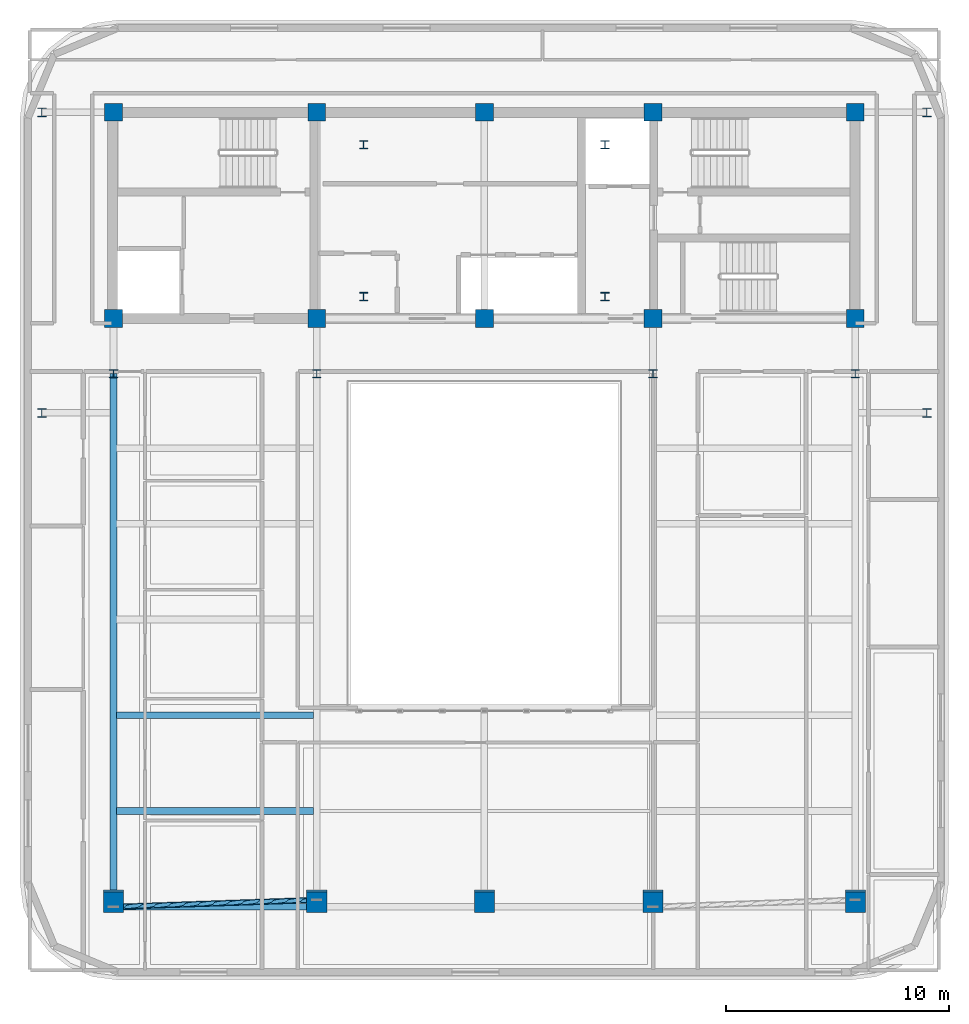
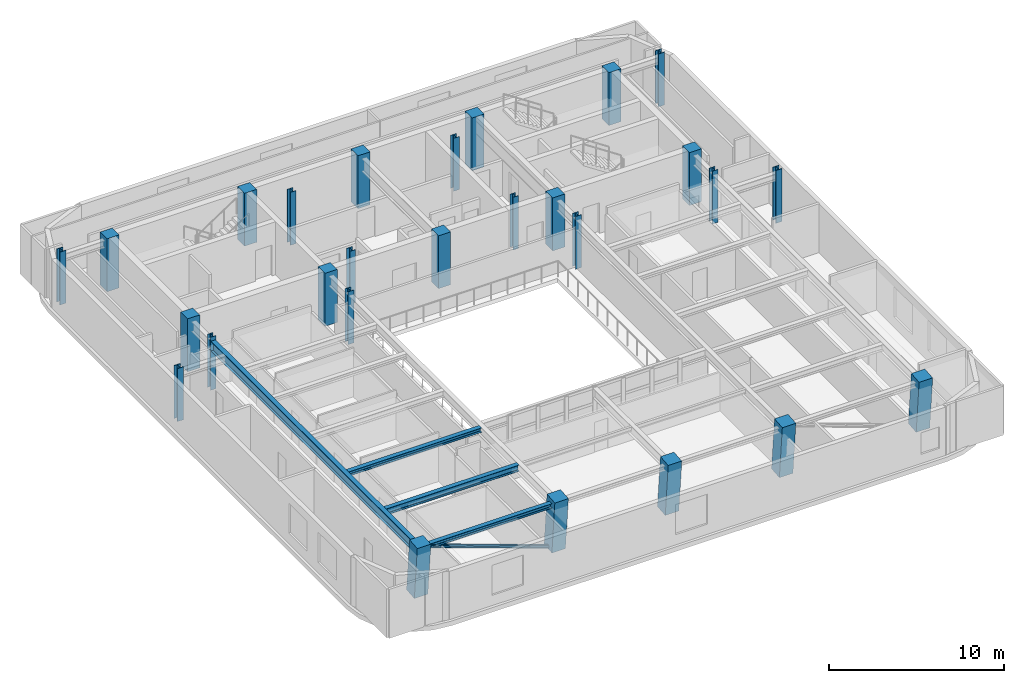
# One storey, part 1 of 12: 27 columns, 4 beams, 1 member.
"""IFC4 building model written with IfcOpenShell, lengths in metres."""

from ifc_helpers import new_model, si_unit, direction, frame, origin, origin_2d, place, context, subcontext, project, spatial, rectangle, hollow_circle, i_section, extrude, material, material_profile, profile_set, type_object, element, save


model = new_model("IFC4")

# Units and contexts
model_context = context("Model", 3, precision=1e-05, world=origin(), true_north=direction((0.0, 1.0)))
body_context = subcontext(model_context, "Body", "Model", "MODEL_VIEW")
ifc_project = project(units=[si_unit("LENGTHUNIT", "METRE"), si_unit("AREAUNIT", "SQUARE_METRE"), si_unit("VOLUMEUNIT", "CUBIC_METRE"), si_unit("PLANEANGLEUNIT", "RADIAN"), si_unit("MASSUNIT", "GRAM", prefix="KILO")], contexts=[model_context])

# Site, building, storey
site_placement = place(None, origin())
site = spatial("IfcSite", under=ifc_project, at=site_placement, CompositionType="ELEMENT")
building_placement = place(site_placement, origin())
building = spatial("IfcBuilding", under=site, at=building_placement, Name="Zarnavel Station Tower", CompositionType="ELEMENT")
storey_placement = place(building_placement, frame((0.0, 0.0, 269.5)))
storey = spatial("IfcBuildingStorey", under=building, at=storey_placement, Name="L73", CompositionType="ELEMENT", Elevation=269.5)

# Columns
ifc_material_1 = material(Name="Steel S355J2", Category="steel")
ifc_material_profile_1 = material_profile(ifc_material_1, i_section(OverallWidth=0.407958984375, OverallDepth=0.39990234375, WebThickness=0.02490234375, FlangeThickness=0.0390625, FilletRadius=0.014892578125, at=origin_2d()), Name="HD400x287")
ifc_profile_set_1 = profile_set([ifc_material_profile_1], Name="Steel S355J2")
column_type_1 = type_object("IfcColumnType", Name="EC_HD287", PredefinedType="COLUMN", material=ifc_profile_set_1)
for number, where, z_axis, x_axis, name in (
    (1, (9.0, 23.60009765625, 0.0), (0.0, 0.0, 1.0), (1.0, 0.0, 0.0), "L73 Inner Wing Spine Column 1-1"),
    (2, (9.0, 37.050048828125, 0.0), (0.0, 0.0, 1.0), (1.0, 0.0, 0.0), "L73 Inner Wing Spine Column 1-2"),
    (3, (48.60009765625, 23.60009765625, 0.0), (0.0, 0.0, 1.0), (1.0, 0.0, 0.0), "L73 Inner Wing Spine Column 2-1"),
    (4, (48.60009765625, 37.050048828125, 0.0), (0.0, 0.0, 1.0), (1.0, 0.0, 0.0), "L73 Inner Wing Spine Column 2-2"),
):
    element("IfcColumn", number, at=place(storey_placement, frame(where, z_axis=z_axis, x_axis=x_axis)), inside=storey, type_object=column_type_1, Name=name, PredefinedType="COLUMN", context=body_context, shape_type="SweptSolid", body=[
        extrude(i_section(OverallWidth=0.407958984375, OverallDepth=0.39990234375, WebThickness=0.02490234375, FlangeThickness=0.0390625, FilletRadius=0.014892578125, at=origin_2d()), origin(), (0.0, 0.0, 1.0), 3.699951171875),
    ])
ifc_material_2 = material(Name="Steel S355J2", Category="steel")
ifc_material_profile_2 = material_profile(ifc_material_2, i_section(OverallWidth=0.3740234375, OverallDepth=0.3720703125, WebThickness=0.0166015625, FlangeThickness=0.027099609375, FilletRadius=0.014892578125, at=origin_2d()), Name="HD360x196")
ifc_profile_set_2 = profile_set([ifc_material_profile_2], Name="Steel S355J2")
column_type_2 = type_object("IfcColumnType", Name="IC_HD196", PredefinedType="COLUMN", material=ifc_profile_set_2)
for number, where, z_axis, x_axis, name in (
    (5, (23.39990234375, 28.800048828125, 0.0), (0.0, 0.0, 1.0), (1.0, 0.0, 0.0), "L73 Mast Spine Column 1"),
    (6, (34.199951171875, 28.800048828125, 0.0), (0.0, 0.0, 1.0), (1.0, 0.0, 0.0), "L73 Mast Spine Column 2"),
    (7, (34.199951171875, 35.60009765625, 0.0), (0.0, 0.0, 1.0), (1.0, 0.0, 0.0), "L73 Mast Spine Column 3"),
    (8, (23.39990234375, 35.60009765625, 0.0), (0.0, 0.0, 1.0), (1.0, 0.0, 0.0), "L73 Mast Spine Column 4"),
    (9, (12.199951171875, 25.35009765625, 0.0), (0.0, 0.0, 1.0), (1.0, 0.0, 0.0), "L73 Inner Spine Column 1"),
    (10, (21.300048828125, 25.35009765625, 0.0), (0.0, 0.0, 1.0), (1.0, 0.0, 0.0), "L73 Inner Spine Column 2"),
    (11, (36.35009765625, 25.35009765625, 0.0), (0.0, 0.0, 1.0), (1.0, 0.0, 0.0), "L73 Inner Spine Column 4"),
    (12, (45.39990234375, 25.35009765625, 0.0), (0.0, 0.0, 1.0), (1.0, 0.0, 0.0), "L73 Inner Spine Column 5"),
):
    element("IfcColumn", number, at=place(storey_placement, frame(where, z_axis=z_axis, x_axis=x_axis)), inside=storey, type_object=column_type_2, Name=name, PredefinedType="COLUMN", context=body_context, shape_type="SweptSolid", body=[
        extrude(i_section(OverallWidth=0.3740234375, OverallDepth=0.3720703125, WebThickness=0.0166015625, FlangeThickness=0.027099609375, FilletRadius=0.014892578125, at=origin_2d()), origin(), (0.0, 0.0, 1.0), 3.699951171875),
    ])
ifc_material_3 = material(Name="Concrete C45/55", Category="concrete")
ifc_material_profile_3 = material_profile(ifc_material_3, rectangle(XDim=0.800048828125, YDim=0.800048828125, at=origin_2d()), Name="RC800x800")
ifc_profile_set_3 = profile_set([ifc_material_profile_3], Name="Concrete C45/55")
column_type_3 = type_object("IfcColumnType", Name="IC_RC800", PredefinedType="COLUMN", material=ifc_profile_set_3)
for number, where, z_axis, x_axis, name in (
    (13, (12.199951171875, 27.820068359375, 0.0), (0.0, 0.0, 1.0), (1.0, 0.0, 0.0), "L73 Core Spine Column 1-1"),
    (14, (12.199951171875, 37.050048828125, 0.0), (0.0, 0.0, 1.0), (1.0, 0.0, 0.0), "L73 Core Spine Column 1-2"),
    (15, (21.300048828125, 27.820068359375, 0.0), (0.0, 0.0, 1.0), (1.0, 0.0, 0.0), "L73 Core Spine Column 2-1"),
    (16, (21.300048828125, 37.050048828125, 0.0), (0.0, 0.0, 1.0), (1.0, 0.0, 0.0), "L73 Core Spine Column 2-2"),
    (17, (28.800048828125, 27.820068359375, 0.0), (0.0, 0.0, 1.0), (1.0, 0.0, 0.0), "L73 Core Spine Column 3-1"),
    (18, (28.800048828125, 37.050048828125, 0.0), (0.0, 0.0, 1.0), (1.0, 0.0, 0.0), "L73 Core Spine Column 3-2"),
    (19, (36.35009765625, 27.820068359375, 0.0), (0.0, 0.0, 1.0), (1.0, 0.0, 0.0), "L73 Core Spine Column 4-1"),
    (20, (36.35009765625, 37.050048828125, 0.0), (0.0, 0.0, 1.0), (1.0, 0.0, 0.0), "L73 Core Spine Column 4-2"),
    (21, (45.39990234375, 27.820068359375, 0.0), (0.0, 0.0, 1.0), (1.0, 0.0, 0.0), "L73 Core Spine Column 5-1"),
    (22, (45.39990234375, 37.050048828125, 0.0), (0.0, 0.0, 1.0), (1.0, 0.0, 0.0), "L73 Core Spine Column 5-2"),
):
    element("IfcColumn", number, at=place(storey_placement, frame(where, z_axis=z_axis, x_axis=x_axis)), inside=storey, type_object=column_type_3, Name=name, PredefinedType="COLUMN", context=body_context, shape_type="SweptSolid", body=[
        extrude(rectangle(XDim=0.800048828125, YDim=0.800048828125, at=origin_2d()), origin(), (0.0, 0.0, 1.0), 3.699951171875),
    ])
ifc_material_4 = material(Name="Concrete C50/60", Category="concrete")
ifc_material_profile_4 = material_profile(ifc_material_4, rectangle(XDim=0.89990234375, YDim=0.89990234375, at=origin_2d()), Name="RC900x900")
ifc_profile_set_4 = profile_set([ifc_material_profile_4], Name="Concrete C50/60")
column_type_4 = type_object("IfcColumnType", Name="MC_RC900", PredefinedType="COLUMN", material=ifc_profile_set_4)
for number, where, z_axis, x_axis, name in (
    (23, (12.199951171875, 1.805908203125, 0.0), (0.0, -0.090227632116, 0.995921168769), (1.0, 0.0, 0.0), "L73 Raked South Mega-Column 1"),
    (24, (21.300048828125, 1.805908203125, 0.0), (0.0, -0.090227632116, 0.995921168769), (1.0, 0.0, 0.0), "L73 Raked South Mega-Column 2"),
    (25, (28.800048828125, 1.805908203125, 0.0), (0.0, -0.090227632116, 0.995921168769), (1.0, 0.0, 0.0), "L73 Raked South Mega-Column 3"),
    (26, (36.35009765625, 1.805908203125, 0.0), (0.0, -0.090227632116, 0.995921168769), (1.0, 0.0, 0.0), "L73 Raked South Mega-Column 4"),
    (27, (45.39990234375, 1.805908203125, 0.0), (0.0, -0.090227632116, 0.995921168769), (1.0, 0.0, 0.0), "L73 Raked South Mega-Column 5"),
):
    element("IfcColumn", number, at=place(storey_placement, frame(where, z_axis=z_axis, x_axis=x_axis)), inside=storey, type_object=column_type_4, Name=name, PredefinedType="COLUMN", context=body_context, shape_type="SweptSolid", body=[
        extrude(rectangle(XDim=0.89990234375, YDim=0.89990234375, at=origin_2d()), origin(), (0.0, 0.0, 1.0), 3.715087890625),
    ])

# Member
ifc_material_5 = material(Name="Steel S355J2", Category="steel")
ifc_material_profile_5 = material_profile(ifc_material_5, hollow_circle(Radius=0.122314453125, WallThickness=0.010009765625, at=origin_2d()), Name="CHS244.5x10")
ifc_profile_set_5 = profile_set([ifc_material_profile_5], Name="Steel S355J2")
member_type = type_object("IfcMemberType", Name="DB_EXT_CHS245", PredefinedType="BRACE", material=ifc_profile_set_5)
member_placement = place(storey_placement, frame((21.300048828125, 1.805908203125, 0.0), z_axis=(-0.935604187908, -0.031852811999, 0.351610867205), x_axis=(0.034025465636, -0.999420966204, 0.0)))
element("IfcMember", 28, at=member_placement, inside=storey, type_object=member_type, Name="L73 Persian Exterior Diagonal Frame Brace 1", PredefinedType="BRACE", context=body_context, shape_type="SweptSolid", body=[
    extrude(hollow_circle(Radius=0.122314453125, WallThickness=0.010009765625, at=origin_2d()), origin(), (0.0, 0.0, 1.0), 9.726318359375),
])

# Beams
ifc_material_6 = material(Name="Steel S355J2", Category="steel")
ifc_material_profile_6 = material_profile(ifc_material_6, i_section(OverallWidth=0.300048828125, OverallDepth=0.320068359375, WebThickness=0.011474609375, FlangeThickness=0.0205078125, FilletRadius=0.027099609375, at=origin_2d()), Name="HEB320")
ifc_profile_set_6 = profile_set([ifc_material_profile_6], Name="Steel S355J2")
beam_type_1 = type_object("IfcBeamType", Name="EB_HEB320", PredefinedType="SPANDREL", material=ifc_profile_set_6)
beam_1_placement = place(storey_placement, frame((12.199951171875, 1.49609375, 3.260009765625), z_axis=(1.0, 0.0, 0.0), x_axis=(0.0, 1.0, 0.0)))
element("IfcBeam", 29, at=beam_1_placement, inside=storey, type_object=beam_type_1, Name="L73 South Raked Spandrel 1", PredefinedType="SPANDREL", context=body_context, shape_type="SweptSolid", body=[
    extrude(i_section(OverallWidth=0.300048828125, OverallDepth=0.320068359375, WebThickness=0.011474609375, FlangeThickness=0.0205078125, FilletRadius=0.027099609375, at=origin_2d()), origin(), (0.0, 0.0, 1.0), 9.10009765625),
])
ifc_material_7 = material(Name="Steel S355J2", Category="steel")
ifc_material_profile_7 = material_profile(ifc_material_7, i_section(OverallWidth=0.300048828125, OverallDepth=0.31005859375, WebThickness=0.009033203125, FlangeThickness=0.015380859375, FilletRadius=0.027099609375, at=origin_2d()), Name="HEA320")
ifc_profile_set_7 = profile_set([ifc_material_profile_7], Name="Steel S355J2")
beam_type_2 = type_object("IfcBeamType", Name="FB_HEA320", PredefinedType="BEAM", material=ifc_profile_set_7)
beam_2_placement = place(storey_placement, frame((12.344970703125, 10.06396484375, 3.264892578125), z_axis=(1.0, 0.0, 0.0), x_axis=(0.0, 1.0, 0.0)))
element("IfcBeam", 30, at=beam_2_placement, inside=storey, type_object=beam_type_2, Name="L73 West Bay Beam 2", PredefinedType="BEAM", context=body_context, shape_type="SweptSolid", body=[
    extrude(i_section(OverallWidth=0.300048828125, OverallDepth=0.31005859375, WebThickness=0.009033203125, FlangeThickness=0.015380859375, FilletRadius=0.027099609375, at=origin_2d()), origin(), (0.0, 0.0, 1.0), 8.81005859375),
])
ifc_material_8 = material(Name="Steel S355J2", Category="steel")
ifc_material_profile_8 = material_profile(ifc_material_8, i_section(OverallWidth=0.300048828125, OverallDepth=0.43994140625, WebThickness=0.011474609375, FlangeThickness=0.02099609375, FilletRadius=0.027099609375, at=origin_2d()), Name="HEA450")
ifc_profile_set_8 = profile_set([ifc_material_profile_8], Name="Steel S355J2")
beam_type_3 = type_object("IfcBeamType", Name="FB_HEA450", PredefinedType="BEAM", material=ifc_profile_set_8)
beam_3_placement = place(storey_placement, frame((12.344970703125, 5.780029296875, 3.199951171875), z_axis=(1.0, 0.0, 0.0), x_axis=(0.0, 1.0, 0.0)))
element("IfcBeam", 31, at=beam_3_placement, inside=storey, type_object=beam_type_3, Name="L73 West Bay Beam 1", PredefinedType="BEAM", context=body_context, shape_type="SweptSolid", body=[
    extrude(i_section(OverallWidth=0.300048828125, OverallDepth=0.43994140625, WebThickness=0.011474609375, FlangeThickness=0.02099609375, FilletRadius=0.027099609375, at=origin_2d()), origin(), (0.0, 0.0, 1.0), 8.81005859375),
])
ifc_material_9 = material(Name="Steel S355J2", Category="steel")
ifc_material_profile_9 = material_profile(ifc_material_9, i_section(OverallWidth=0.300048828125, OverallDepth=0.699951171875, WebThickness=0.01708984375, FlangeThickness=0.031982421875, FilletRadius=0.027099609375, at=origin_2d()), Name="HEB700")
ifc_profile_set_9 = profile_set([ifc_material_profile_9], Name="Steel S355J2")
beam_type_4 = type_object("IfcBeamType", Name="FG_HEB700", PredefinedType="USERDEFINED", material=ifc_profile_set_9)
beam_4_placement = place(storey_placement, frame((12.199951171875, 1.49609375, 3.070068359375), z_axis=(0.0, 1.0, 0.0), x_axis=(-1.0, 0.0, 0.0)))
element("IfcBeam", 32, at=beam_4_placement, inside=storey, type_object=beam_type_4, Name="L73 South-Zone NS Girder 1", ObjectType="GIRDER", PredefinedType="USERDEFINED", context=body_context, shape_type="SweptSolid", body=[
    extrude(i_section(OverallWidth=0.300048828125, OverallDepth=0.699951171875, WebThickness=0.01708984375, FlangeThickness=0.031982421875, FilletRadius=0.027099609375, at=origin_2d()), origin(), (0.0, 0.0, 1.0), 23.85400390625),
])

save(model, "model.ifc")
